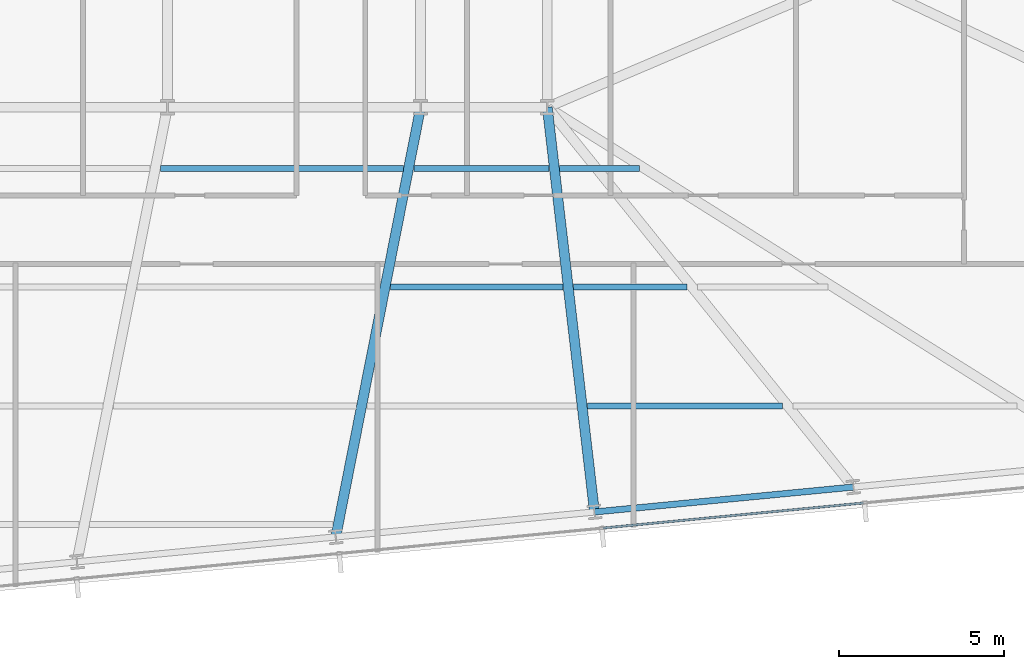
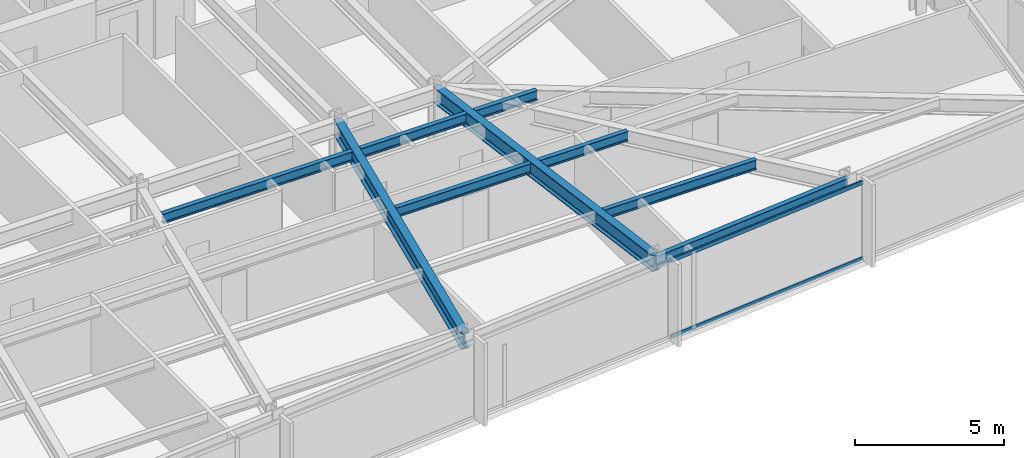
# One storey, part 11 of 33: 9 beams, 2 members, 1 element without a shape of its own.
"""IFC4 building model written with IfcOpenShell, lengths in metres."""

from ifc_helpers import new_model, si_unit, direction, frame, origin, origin_2d, place, context, subcontext, project, spatial, hollow_rectangle, i_section, extrude, material, material_profile, profile_set, type_object, element, aggregate, save


model = new_model("IFC4")

# Units and contexts
model_context = context("Model", 3, precision=1e-05, world=origin(), true_north=direction((0.0, 1.0)))
body_context = subcontext(model_context, "Body", "Model", "MODEL_VIEW")
ifc_project = project(units=[si_unit("LENGTHUNIT", "METRE"), si_unit("AREAUNIT", "SQUARE_METRE"), si_unit("VOLUMEUNIT", "CUBIC_METRE"), si_unit("PLANEANGLEUNIT", "RADIAN"), si_unit("MASSUNIT", "GRAM", prefix="KILO")], contexts=[model_context])

# Site, building, storey
site_placement = place(None, origin())
site = spatial("IfcSite", under=ifc_project, at=site_placement, CompositionType="ELEMENT")
building_placement = place(site_placement, origin())
building = spatial("IfcBuilding", under=site, at=building_placement, Name="Yelkora Congress Tower", CompositionType="ELEMENT")
storey_placement = place(building_placement, frame((0.0, 0.0, 123.699951171875)))
storey = spatial("IfcBuildingStorey", under=building, at=storey_placement, Name="L33", CompositionType="ELEMENT", Elevation=123.699951171875)

# Beams
ifc_material_1 = material(Name="Steel S355J2", Category="steel")
ifc_material_profile_1 = material_profile(ifc_material_1, i_section(OverallWidth=0.300048828125, OverallDepth=0.64990234375, WebThickness=0.01611328125, FlangeThickness=0.031005859375, FilletRadius=0.027099609375, at=origin_2d()), Name="HEB 650")
ifc_profile_set_1 = profile_set([ifc_material_profile_1], Name="Steel S355J2")
beam_type_1 = type_object("IfcBeamType", Name="BM-GIRD-HEB650", PredefinedType="BEAM", material=ifc_profile_set_1)
beam_1_placement = place(storey_placement, frame((51.18359375, 12.16748046875, 2.85498046875), z_axis=(0.193938615251, 0.981013666324, 0.0), x_axis=(-0.981013666324, 0.193938615251, 0.0)))
element("IfcBeam", 1, at=beam_1_placement, inside=storey, type_object=beam_type_1, Name="L33 Primary Frame Girder S05", PredefinedType="BEAM", context=body_context, shape_type="SweptSolid", body=[
    extrude(i_section(OverallWidth=0.300048828125, OverallDepth=0.64990234375, WebThickness=0.01611328125, FlangeThickness=0.031005859375, FilletRadius=0.027099609375, at=origin_2d()), origin(), (0.0, 0.0, 1.0), 13.28466796875),
])
beam_2_placement = place(storey_placement, frame((59.033203125, 12.92333984375, 2.85498046875), z_axis=(-0.115947280821, 0.993255369011, 0.0), x_axis=(-0.993255369011, -0.115947280821, 0.0)))
element("IfcBeam", 2, at=beam_2_placement, inside=storey, type_object=beam_type_1, Name="L33 Primary Frame Girder S06", PredefinedType="BEAM", context=body_context, shape_type="SweptSolid", body=[
    extrude(i_section(OverallWidth=0.300048828125, OverallDepth=0.64990234375, WebThickness=0.01611328125, FlangeThickness=0.031005859375, FilletRadius=0.027099609375, at=origin_2d()), origin(), (0.0, 0.0, 1.0), 12.35986328125),
])
ifc_material_profile_2 = material_profile(ifc_material_1, i_section(OverallWidth=0.179931640625, OverallDepth=0.39990234375, WebThickness=0.008544921875, FlangeThickness=0.013427734375, FilletRadius=0.02099609375, at=origin_2d()), Name="IPE 400")
ifc_profile_set_2 = profile_set([ifc_material_profile_2], Name="Steel S355J2")
beam_type_2 = type_object("IfcBeamType", Name="BM-JOIST-IPE400", PredefinedType="JOIST", material=ifc_profile_set_2)
beam_3_placement = place(storey_placement, frame((58.817138671875, 16.144287109375, 2.97998046875), z_axis=(1.0, 0.0, 0.0), x_axis=(0.0, 1.0, 0.0)))
element("IfcBeam", 3, at=beam_3_placement, inside=storey, type_object=beam_type_2, Name="L33 Composite Floor Joist 9", PredefinedType="JOIST", context=body_context, shape_type="SweptSolid", body=[
    extrude(i_section(OverallWidth=0.179931640625, OverallDepth=0.39990234375, WebThickness=0.008544921875, FlangeThickness=0.013427734375, FilletRadius=0.02099609375, at=origin_2d()), origin(), (0.0, 0.0, 1.0), 5.919189453125),
])
beam_4_placement = place(storey_placement, frame((52.841552734375, 19.744384765625, 2.97998046875), z_axis=(1.0, 0.0, 0.0), x_axis=(0.0, 1.0, 0.0)))
element("IfcBeam", 4, at=beam_4_placement, inside=storey, type_object=beam_type_2, Name="L33 Composite Floor Joist 15", PredefinedType="JOIST", context=body_context, shape_type="SweptSolid", body=[
    extrude(i_section(OverallWidth=0.179931640625, OverallDepth=0.39990234375, WebThickness=0.008544921875, FlangeThickness=0.013427734375, FilletRadius=0.02099609375, at=origin_2d()), origin(), (0.0, 0.0, 1.0), 5.2353515625),
])
beam_5_placement = place(storey_placement, frame((58.39697265625, 19.744384765625, 2.97998046875), z_axis=(1.0, 0.0, 0.0), x_axis=(0.0, 1.0, 0.0)))
element("IfcBeam", 5, at=beam_5_placement, inside=storey, type_object=beam_type_2, Name="L33 Composite Floor Joist 16", PredefinedType="JOIST", context=body_context, shape_type="SweptSolid", body=[
    extrude(i_section(OverallWidth=0.179931640625, OverallDepth=0.39990234375, WebThickness=0.008544921875, FlangeThickness=0.013427734375, FilletRadius=0.02099609375, at=origin_2d()), origin(), (0.0, 0.0, 1.0), 3.438720703125),
])
beam_6_placement = place(storey_placement, frame((45.87060546875, 23.344482421875, 2.97998046875), z_axis=(1.0, 0.0, 0.0), x_axis=(0.0, 1.0, 0.0)))
element("IfcBeam", 6, at=beam_6_placement, inside=storey, type_object=beam_type_2, Name="L33 Composite Floor Joist 21", PredefinedType="JOIST", context=body_context, shape_type="SweptSolid", body=[
    extrude(i_section(OverallWidth=0.179931640625, OverallDepth=0.39990234375, WebThickness=0.008544921875, FlangeThickness=0.013427734375, FilletRadius=0.02099609375, at=origin_2d()), origin(), (0.0, 0.0, 1.0), 7.362548828125),
])
beam_7_placement = place(storey_placement, frame((53.55322265625, 23.344482421875, 2.97998046875), z_axis=(1.0, 0.0, 0.0), x_axis=(0.0, 1.0, 0.0)))
element("IfcBeam", 7, at=beam_7_placement, inside=storey, type_object=beam_type_2, Name="L33 Composite Floor Joist 22", PredefinedType="JOIST", context=body_context, shape_type="SweptSolid", body=[
    extrude(i_section(OverallWidth=0.179931640625, OverallDepth=0.39990234375, WebThickness=0.008544921875, FlangeThickness=0.013427734375, FilletRadius=0.02099609375, at=origin_2d()), origin(), (0.0, 0.0, 1.0), 4.103271484375),
])
beam_8_placement = place(storey_placement, frame((57.9765625, 23.344482421875, 2.97998046875), z_axis=(1.0, 0.0, 0.0), x_axis=(0.0, 1.0, 0.0)))
element("IfcBeam", 8, at=beam_8_placement, inside=storey, type_object=beam_type_2, Name="L33 Composite Floor Joist 23", PredefinedType="JOIST", context=body_context, shape_type="SweptSolid", body=[
    extrude(i_section(OverallWidth=0.179931640625, OverallDepth=0.39990234375, WebThickness=0.008544921875, FlangeThickness=0.013427734375, FilletRadius=0.02099609375, at=origin_2d()), origin(), (0.0, 0.0, 1.0), 2.41650390625),
])
ifc_material_profile_3 = material_profile(ifc_material_1, i_section(OverallWidth=0.18994140625, OverallDepth=0.449951171875, WebThickness=0.009521484375, FlangeThickness=0.0146484375, FilletRadius=0.02099609375, at=origin_2d()), Name="IPE 450")
ifc_profile_set_3 = profile_set([ifc_material_profile_3], Name="Steel S355J2")
beam_type_3 = type_object("IfcBeamType", Name="BM-SPAN-IPE450", PredefinedType="SPANDREL", material=ifc_profile_set_3)
beam_9_placement = place(storey_placement, frame((59.033203125, 12.92333984375, 2.955078125), z_axis=(0.995395575667, 0.095852219286, 0.0), x_axis=(-0.095852219286, 0.995395575667, 0.0)))
element("IfcBeam", 9, at=beam_9_placement, inside=storey, type_object=beam_type_3, Name="L33 Perimeter Beam 8", PredefinedType="SPANDREL", context=body_context, shape_type="SweptSolid", body=[
    extrude(i_section(OverallWidth=0.18994140625, OverallDepth=0.449951171875, WebThickness=0.009521484375, FlangeThickness=0.0146484375, FilletRadius=0.02099609375, at=origin_2d()), origin(), (0.0, 0.0, 1.0), 7.8857421875),
])

# Curtain wall, members
ifc_material_2 = material(Name="Anodised aluminium and insulated glass", Category="aluminium")
curtain_wall_type = type_object("IfcCurtainWallType", Name="CW-SYS-B2", PredefinedType="NOTDEFINED", material=ifc_material_2)
curtain_wall_placement = place(storey_placement, origin())
curtain_wall = element("IfcCurtainWall", 10, at=curtain_wall_placement, inside=storey, type_object=curtain_wall_type, Name="L33 Unitised Curtain Wall 20", PredefinedType="NOTDEFINED")
ifc_material_3 = material(Name="Anodised aluminium 6063-T6", Category="aluminium")
ifc_material_profile_4 = material_profile(ifc_material_3, hollow_rectangle(XDim=0.06494140625, YDim=0.159912109375, WallThickness=0.00390625, at=origin_2d()), Name="ALU 65x160x4")
ifc_profile_set_4 = profile_set([ifc_material_profile_4], Name="Anodised aluminium 6063-T6")
member_type = type_object("IfcMemberType", Name="MEM-TR-B2", PredefinedType="USERDEFINED", material=ifc_profile_set_4)
member_1_placement = place(storey_placement, frame((67.18798828125, 13.1962890625, 0.032470703125), z_axis=(-0.995397293396, -0.095834379534, 0.0), x_axis=(0.095834379534, -0.995397293396, 0.0)))
member_1 = element("IfcMember", 11, at=member_1_placement, type_object=member_type, Name="CW-B2 transom 2.1", ObjectType="TRANSOM", PredefinedType="USERDEFINED", context=body_context, shape_type="SweptSolid", body=[
    extrude(hollow_rectangle(XDim=0.06494140625, YDim=0.159912109375, WallThickness=0.00390625, at=origin_2d()), origin(), (0.0, 0.0, 1.0), 7.93310546875),
])
member_2_placement = place(storey_placement, frame((67.18798828125, 13.1962890625, 3.1474609375), z_axis=(-0.995397293396, -0.095834379534, 0.0), x_axis=(0.095834379534, -0.995397293396, 0.0)))
member_2 = element("IfcMember", 12, at=member_2_placement, type_object=member_type, Name="CW-B2 transom 2.2", ObjectType="TRANSOM", PredefinedType="USERDEFINED", context=body_context, shape_type="SweptSolid", body=[
    extrude(hollow_rectangle(XDim=0.06494140625, YDim=0.159912109375, WallThickness=0.00390625, at=origin_2d()), origin(), (0.0, 0.0, 1.0), 7.93310546875),
])
aggregate(curtain_wall, [member_1, member_2])

save(model, "model.ifc")
